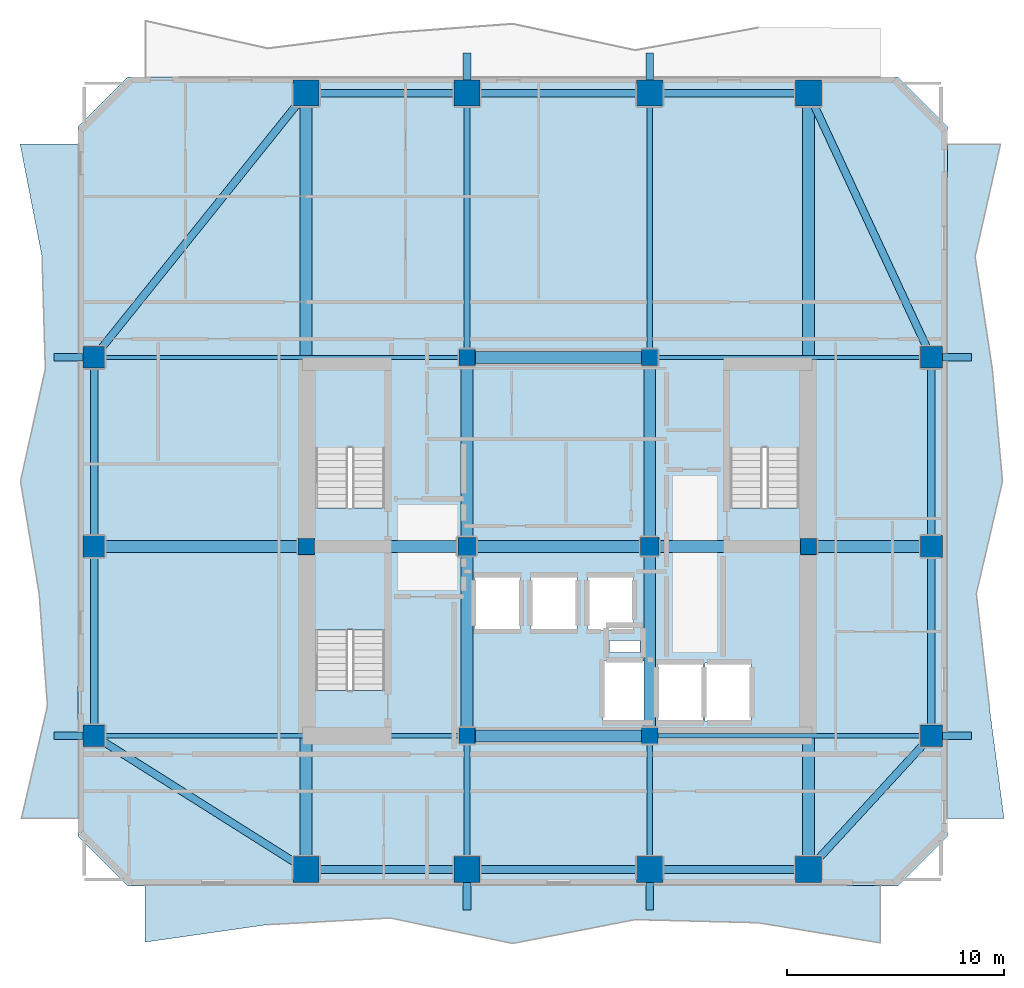
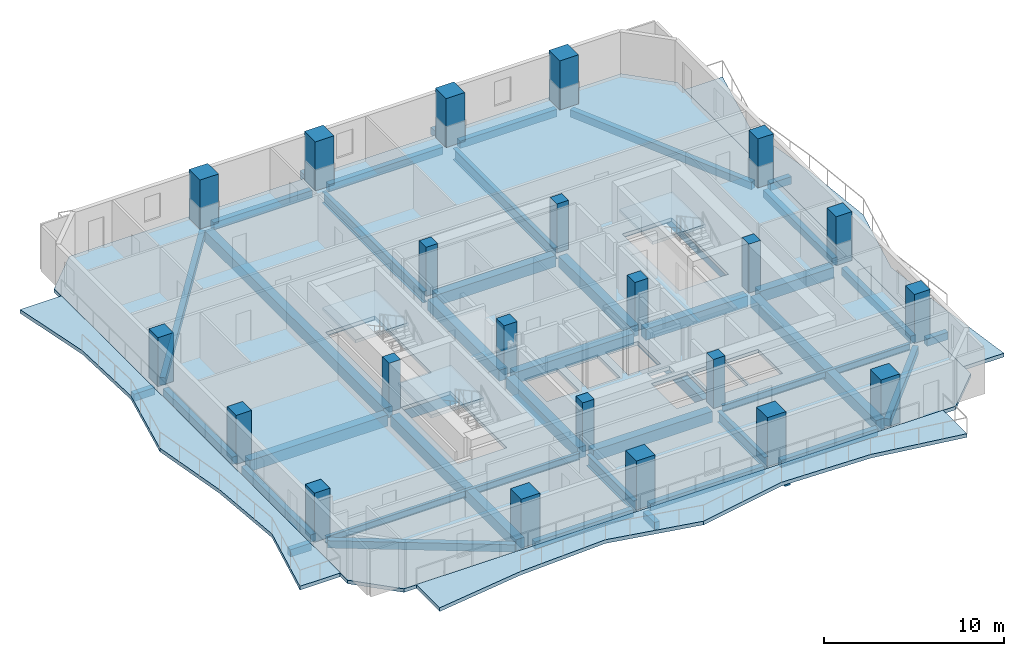
# One storey, part 1 of 10: 45 beams, 22 columns, 7 slabs, 3 elements without a shape of their own.
"""IFC4 building model written with IfcOpenShell, lengths in metres."""

from ifc_helpers import new_model, si_unit, direction, frame, origin, origin_2d, place, context, subcontext, project, spatial, polyline, rectangle, i_section, outline, extrude, material, layer, layer_set, material_profile, profile_set, type_object, element, aggregate, save


model = new_model("IFC4")

# Units and contexts
model_context = context("Model", 3, precision=1e-05, world=origin(), true_north=direction((0.0, 1.0)))
body_context = subcontext(model_context, "Body", "Model", "MODEL_VIEW")
ifc_project = project(units=[si_unit("LENGTHUNIT", "METRE"), si_unit("AREAUNIT", "SQUARE_METRE"), si_unit("VOLUMEUNIT", "CUBIC_METRE"), si_unit("PLANEANGLEUNIT", "RADIAN"), si_unit("MASSUNIT", "GRAM", prefix="KILO")], contexts=[model_context])

# Site, building, storey
site_placement = place(None, origin())
site = spatial("IfcSite", under=ifc_project, at=site_placement, CompositionType="ELEMENT")
building_placement = place(site_placement, origin())
building = spatial("IfcBuilding", under=site, at=building_placement, Name="Solanera Arch Residences", CompositionType="ELEMENT")
storey_placement = place(building_placement, frame((0.0, 0.0, 183.52001953125)))
storey = spatial("IfcBuildingStorey", under=building, at=storey_placement, Name="L53", CompositionType="ELEMENT", Elevation=183.52001953125)

# Columns
ifc_material_1 = material(Name="Concrete C55/67 (f'c = 60 MPa)", Category="concrete")
ifc_material_profile_1 = material_profile(ifc_material_1, rectangle(XDim=1.0, YDim=1.0, at=origin_2d()))
ifc_profile_set_1 = profile_set([ifc_material_profile_1], Name="Concrete C55/67 (f'c = 60 MPa)")
column_type_1 = type_object("IfcColumnType", Name="Structural Column RC-COL-1000X1000", PredefinedType="COLUMN", material=ifc_profile_set_1)
for number, where, z_axis, x_axis, name in (
    (1, (3.64990234375, 22.0, 0.0), (0.0, 0.0, 1.0), (1.0, 0.0, 0.0), "COL-L53-TWR-09"),
    (2, (42.14990234375, 22.0, 0.0), (0.0, 0.0, 1.0), (1.0, 0.0, 0.0), "COL-L53-TWR-10"),
    (3, (3.64990234375, 30.699951171875, 0.0), (0.0, 0.0, 1.0), (1.0, 0.0, 0.0), "COL-L53-TWR-11"),
    (4, (42.14990234375, 30.699951171875, 0.0), (0.0, 0.0, 1.0), (1.0, 0.0, 0.0), "COL-L53-TWR-12"),
    (5, (3.64990234375, 39.39990234375, 0.0), (0.0, 0.0, 1.0), (1.0, 0.0, 0.0), "COL-L53-TWR-13"),
    (6, (42.14990234375, 39.39990234375, 0.0), (0.0, 0.0, 1.0), (1.0, 0.0, 0.0), "COL-L53-TWR-14"),
):
    element("IfcColumn", number, at=place(storey_placement, frame(where, z_axis=z_axis, x_axis=x_axis)), inside=storey, type_object=column_type_1, Name=name, PredefinedType="COLUMN", context=body_context, shape_type="SweptSolid", body=[
        extrude(rectangle(XDim=1.0, YDim=1.0, at=origin_2d()), origin(), (0.0, 0.0, 1.0), 3.320068359375),
    ])
ifc_material_2 = material(Name="Concrete C55/67 (f'c = 60 MPa)", Category="concrete")
ifc_material_profile_2 = material_profile(ifc_material_2, rectangle(XDim=1.199951171875, YDim=1.199951171875, at=origin_2d()))
ifc_profile_set_2 = profile_set([ifc_material_profile_2], Name="Concrete C55/67 (f'c = 60 MPa)")
column_type_2 = type_object("IfcColumnType", Name="Structural Column RC-COL-1200X1200", PredefinedType="COLUMN", material=ifc_profile_set_2)
for number, where, z_axis, x_axis, name in (
    (7, (13.39990234375, 15.85009765625, 0.0), (0.0, 0.0, 1.0), (1.0, 0.0, 0.0), "COL-L53-TWR-01"),
    (8, (13.39990234375, 51.550048828125, 0.0), (0.0, 0.0, 1.0), (1.0, 0.0, 0.0), "COL-L53-TWR-02"),
    (9, (20.800048828125, 15.85009765625, 0.0), (0.0, 0.0, 1.0), (1.0, 0.0, 0.0), "COL-L53-TWR-03"),
    (10, (20.800048828125, 51.550048828125, 0.0), (0.0, 0.0, 1.0), (1.0, 0.0, 0.0), "COL-L53-TWR-04"),
    (11, (29.199951171875, 15.85009765625, 0.0), (0.0, 0.0, 1.0), (1.0, 0.0, 0.0), "COL-L53-TWR-05"),
    (12, (29.199951171875, 51.550048828125, 0.0), (0.0, 0.0, 1.0), (1.0, 0.0, 0.0), "COL-L53-TWR-06"),
    (13, (36.5, 15.85009765625, 0.0), (0.0, 0.0, 1.0), (1.0, 0.0, 0.0), "COL-L53-TWR-07"),
    (14, (36.5, 51.550048828125, 0.0), (0.0, 0.0, 1.0), (1.0, 0.0, 0.0), "COL-L53-TWR-08"),
):
    element("IfcColumn", number, at=place(storey_placement, frame(where, z_axis=z_axis, x_axis=x_axis)), inside=storey, type_object=column_type_2, Name=name, PredefinedType="COLUMN", context=body_context, shape_type="SweptSolid", body=[
        extrude(rectangle(XDim=1.199951171875, YDim=1.199951171875, at=origin_2d()), origin(), (0.0, 0.0, 1.0), 3.320068359375),
    ])
ifc_material_3 = material(Name="Concrete C40/50 (f'c = 45 MPa)", Category="concrete")
ifc_material_profile_3 = material_profile(ifc_material_3, rectangle(XDim=0.75, YDim=0.75, at=origin_2d()))
ifc_profile_set_3 = profile_set([ifc_material_profile_3], Name="Concrete C40/50 (f'c = 45 MPa)")
column_type_3 = type_object("IfcColumnType", Name="Structural Column RC-COL-750X750", PredefinedType="COLUMN", material=ifc_profile_set_3)
for number, where, z_axis, x_axis, name in (
    (15, (20.800048828125, 22.0, 0.0), (0.0, 0.0, 1.0), (1.0, 0.0, 0.0), "COL-L53-CB-SW"),
    (16, (29.199951171875, 22.0, 0.0), (0.0, 0.0, 1.0), (1.0, 0.0, 0.0), "COL-L53-CB-SE"),
    (17, (20.800048828125, 39.39990234375, 0.0), (0.0, 0.0, 1.0), (1.0, 0.0, 0.0), "COL-L53-CB-NW"),
    (18, (29.199951171875, 39.39990234375, 0.0), (0.0, 0.0, 1.0), (1.0, 0.0, 0.0), "COL-L53-CB-NE"),
    (19, (13.39990234375, 30.699951171875, 0.0), (0.0, 0.0, 1.0), (1.0, 0.0, 0.0), "COL-L53-CB-WW"),
    (20, (36.5, 30.699951171875, 0.0), (0.0, 0.0, 1.0), (1.0, 0.0, 0.0), "COL-L53-CB-EE"),
):
    element("IfcColumn", number, at=place(storey_placement, frame(where, z_axis=z_axis, x_axis=x_axis)), inside=storey, type_object=column_type_3, Name=name, PredefinedType="COLUMN", context=body_context, shape_type="SweptSolid", body=[
        extrude(rectangle(XDim=0.75, YDim=0.75, at=origin_2d()), origin(), (0.0, 0.0, 1.0), 3.320068359375),
    ])
ifc_material_4 = material(Name="Concrete C40/50 (f'c = 45 MPa)", Category="concrete")
ifc_material_profile_4 = material_profile(ifc_material_4, rectangle(XDim=0.85009765625, YDim=0.85009765625, at=origin_2d()))
ifc_profile_set_4 = profile_set([ifc_material_profile_4], Name="Concrete C40/50 (f'c = 45 MPa)")
column_type_4 = type_object("IfcColumnType", Name="Structural Column RC-COL-850X850", PredefinedType="COLUMN", material=ifc_profile_set_4)
for number, where, z_axis, x_axis, name in (
    (21, (20.800048828125, 30.699951171875, 0.0), (0.0, 0.0, 1.0), (1.0, 0.0, 0.0), "COL-L53-CORE-W"),
    (22, (29.199951171875, 30.699951171875, 0.0), (0.0, 0.0, 1.0), (1.0, 0.0, 0.0), "COL-L53-CORE-E"),
):
    element("IfcColumn", number, at=place(storey_placement, frame(where, z_axis=z_axis, x_axis=x_axis)), inside=storey, type_object=column_type_4, Name=name, PredefinedType="COLUMN", context=body_context, shape_type="SweptSolid", body=[
        extrude(rectangle(XDim=0.85009765625, YDim=0.85009765625, at=origin_2d()), origin(), (0.0, 0.0, 1.0), 3.320068359375),
    ])

# Beams
ifc_material_5 = material(Name="Concrete C40/50 (f'c = 45 MPa)", Category="concrete")
ifc_material_profile_5 = material_profile(ifc_material_5, rectangle(XDim=0.35009765625, YDim=0.5, at=origin_2d()))
ifc_profile_set_5 = profile_set([ifc_material_profile_5], Name="Concrete C40/50 (f'c = 45 MPa)")
beam_type_1 = type_object("IfcBeamType", Name="BM-BALC-RIB", PredefinedType="BEAM", material=ifc_profile_set_5)
for number, where, z_axis, x_axis, name in (
    (23, (20.800048828125, 14.0, -0.5), (0.0, 1.0, 0.0), (-1.0, 0.0, 0.0), "BM-L53-BRIB-S1"),
    (24, (29.199951171875, 14.0, -0.5), (0.0, 1.0, 0.0), (-1.0, 0.0, 0.0), "BM-L53-BRIB-S2"),
    (25, (20.800048828125, 52.14990234375, -0.5), (0.0, 1.0, 0.0), (-1.0, 0.0, 0.0), "BM-L53-BRIB-N1"),
    (26, (29.199951171875, 52.14990234375, -0.5), (0.0, 1.0, 0.0), (-1.0, 0.0, 0.0), "BM-L53-BRIB-N2"),
):
    element("IfcBeam", number, at=place(storey_placement, frame(where, z_axis=z_axis, x_axis=x_axis)), inside=storey, type_object=beam_type_1, Name=name, PredefinedType="BEAM", context=body_context, shape_type="SweptSolid", body=[
        extrude(rectangle(XDim=0.35009765625, YDim=0.5, at=origin_2d()), origin(), (0.0, 0.0, 1.0), 1.25),
    ])
for number, where, z_axis, x_axis, name in (
    (27, (42.64990234375, 22.0, -0.5), (1.0, 0.0, 0.0), (0.0, 1.0, 0.0), "BM-L53-BRIB-E1"),
    (28, (42.64990234375, 39.39990234375, -0.5), (1.0, 0.0, 0.0), (0.0, 1.0, 0.0), "BM-L53-BRIB-E2"),
):
    element("IfcBeam", number, at=place(storey_placement, frame(where, z_axis=z_axis, x_axis=x_axis)), inside=storey, type_object=beam_type_1, Name=name, PredefinedType="BEAM", context=body_context, shape_type="SweptSolid", body=[
        extrude(rectangle(XDim=0.35009765625, YDim=0.5, at=origin_2d()), origin(), (0.0, 0.0, 1.0), 1.35009765625),
    ])
for number, where, z_axis, x_axis, name in (
    (29, (1.800048828125, 22.0, -0.5), (1.0, 0.0, 0.0), (0.0, 1.0, 0.0), "BM-L53-BRIB-W1"),
    (30, (1.800048828125, 39.39990234375, -0.5), (1.0, 0.0, 0.0), (0.0, 1.0, 0.0), "BM-L53-BRIB-W2"),
):
    element("IfcBeam", number, at=place(storey_placement, frame(where, z_axis=z_axis, x_axis=x_axis)), inside=storey, type_object=beam_type_1, Name=name, PredefinedType="BEAM", context=body_context, shape_type="SweptSolid", body=[
        extrude(rectangle(XDim=0.35009765625, YDim=0.5, at=origin_2d()), origin(), (0.0, 0.0, 1.0), 1.349853515625),
    ])
ifc_material_6 = material(Name="Concrete C40/50 (f'c = 45 MPa)", Category="concrete")
ifc_material_profile_6 = material_profile(ifc_material_6, rectangle(XDim=0.550048828125, YDim=0.75, at=origin_2d()))
ifc_profile_set_6 = profile_set([ifc_material_profile_6], Name="Concrete C40/50 (f'c = 45 MPa)")
beam_type_2 = type_object("IfcBeamType", Name="Primary Beam RC-BM-550X750", PredefinedType="BEAM", material=ifc_profile_set_6)
beam_1_placement = place(storey_placement, frame((20.800048828125, 22.37890625, -0.614990234375), z_axis=(0.0, 1.0, 0.0), x_axis=(-1.0, 0.0, 0.0)))
element("IfcBeam", 31, at=beam_1_placement, inside=storey, type_object=beam_type_2, Name="BM-L53-CC-S-208", PredefinedType="BEAM", context=body_context, shape_type="SweptSolid", body=[
    extrude(rectangle(XDim=0.550048828125, YDim=0.75, at=origin_2d()), origin(), (0.0, 0.0, 1.0), 7.942138671875),
])
beam_2_placement = place(storey_placement, frame((20.800048828125, 31.0791015625, -0.614990234375), z_axis=(0.0, 1.0, 0.0), x_axis=(-1.0, 0.0, 0.0)))
element("IfcBeam", 32, at=beam_2_placement, inside=storey, type_object=beam_type_2, Name="BM-L53-CC-N-208", PredefinedType="BEAM", context=body_context, shape_type="SweptSolid", body=[
    extrude(rectangle(XDim=0.550048828125, YDim=0.75, at=origin_2d()), origin(), (0.0, 0.0, 1.0), 7.94189453125),
])
beam_3_placement = place(storey_placement, frame((29.199951171875, 22.37890625, -0.614990234375), z_axis=(0.0, 1.0, 0.0), x_axis=(-1.0, 0.0, 0.0)))
element("IfcBeam", 33, at=beam_3_placement, inside=storey, type_object=beam_type_2, Name="BM-L53-CC-S-292", PredefinedType="BEAM", context=body_context, shape_type="SweptSolid", body=[
    extrude(rectangle(XDim=0.550048828125, YDim=0.75, at=origin_2d()), origin(), (0.0, 0.0, 1.0), 7.942138671875),
])
beam_4_placement = place(storey_placement, frame((29.199951171875, 31.0791015625, -0.614990234375), z_axis=(0.0, 1.0, 0.0), x_axis=(-1.0, 0.0, 0.0)))
element("IfcBeam", 34, at=beam_4_placement, inside=storey, type_object=beam_type_2, Name="BM-L53-CC-N-292", PredefinedType="BEAM", context=body_context, shape_type="SweptSolid", body=[
    extrude(rectangle(XDim=0.550048828125, YDim=0.75, at=origin_2d()), origin(), (0.0, 0.0, 1.0), 7.94189453125),
])
for number, where, z_axis, x_axis, name in (
    (35, (21.178955078125, 22.0, -0.614990234375), (1.0, 0.0, 0.0), (0.0, 1.0, 0.0), "BM-L53-CC-M-220"),
    (36, (21.178955078125, 30.699951171875, -0.614990234375), (1.0, 0.0, 0.0), (0.0, 1.0, 0.0), "BM-L53-CC-M-307"),
    (37, (21.178955078125, 39.39990234375, -0.614990234375), (1.0, 0.0, 0.0), (0.0, 1.0, 0.0), "BM-L53-CC-M-394"),
):
    element("IfcBeam", number, at=place(storey_placement, frame(where, z_axis=z_axis, x_axis=x_axis)), inside=storey, type_object=beam_type_2, Name=name, PredefinedType="BEAM", context=body_context, shape_type="SweptSolid", body=[
        extrude(rectangle(XDim=0.550048828125, YDim=0.75, at=origin_2d()), origin(), (0.0, 0.0, 1.0), 7.64208984375),
    ])
beam_5_placement = place(storey_placement, frame((13.779052734375, 30.699951171875, -0.614990234375), z_axis=(1.0, 0.0, 0.0), x_axis=(0.0, 1.0, 0.0)))
element("IfcBeam", 38, at=beam_5_placement, inside=storey, type_object=beam_type_2, Name="BM-L53-CC-W", PredefinedType="BEAM", context=body_context, shape_type="SweptSolid", body=[
    extrude(rectangle(XDim=0.550048828125, YDim=0.75, at=origin_2d()), origin(), (0.0, 0.0, 1.0), 6.641845703125),
])
beam_6_placement = place(storey_placement, frame((29.5791015625, 30.699951171875, -0.614990234375), z_axis=(1.0, 0.0, 0.0), x_axis=(0.0, 1.0, 0.0)))
element("IfcBeam", 39, at=beam_6_placement, inside=storey, type_object=beam_type_2, Name="BM-L53-CC-E", PredefinedType="BEAM", context=body_context, shape_type="SweptSolid", body=[
    extrude(rectangle(XDim=0.550048828125, YDim=0.75, at=origin_2d()), origin(), (0.0, 0.0, 1.0), 6.5419921875),
])
beam_7_placement = place(storey_placement, frame((13.39990234375, 16.389892578125, -0.614990234375), z_axis=(0.0, 1.0, 0.0), x_axis=(-1.0, 0.0, 0.0)))
element("IfcBeam", 40, at=beam_7_placement, inside=storey, type_object=beam_type_2, Name="BM-L53-RAD-OS-134", PredefinedType="BEAM", context=body_context, shape_type="SweptSolid", body=[
    extrude(rectangle(XDim=0.550048828125, YDim=0.75, at=origin_2d()), origin(), (0.0, 0.0, 1.0), 13.93115234375),
])
beam_8_placement = place(storey_placement, frame((13.39990234375, 31.0791015625, -0.614990234375), z_axis=(0.0, 1.0, 0.0), x_axis=(-1.0, 0.0, 0.0)))
element("IfcBeam", 41, at=beam_8_placement, inside=storey, type_object=beam_type_2, Name="BM-L53-RAD-ON-134", PredefinedType="BEAM", context=body_context, shape_type="SweptSolid", body=[
    extrude(rectangle(XDim=0.550048828125, YDim=0.75, at=origin_2d()), origin(), (0.0, 0.0, 1.0), 19.930908203125),
])
beam_9_placement = place(storey_placement, frame((36.5, 16.389892578125, -0.614990234375), z_axis=(0.0, 1.0, 0.0), x_axis=(-1.0, 0.0, 0.0)))
element("IfcBeam", 42, at=beam_9_placement, inside=storey, type_object=beam_type_2, Name="BM-L53-RAD-OS-365", PredefinedType="BEAM", context=body_context, shape_type="SweptSolid", body=[
    extrude(rectangle(XDim=0.550048828125, YDim=0.75, at=origin_2d()), origin(), (0.0, 0.0, 1.0), 13.93115234375),
])
beam_10_placement = place(storey_placement, frame((36.5, 31.0791015625, -0.614990234375), z_axis=(0.0, 1.0, 0.0), x_axis=(-1.0, 0.0, 0.0)))
element("IfcBeam", 43, at=beam_10_placement, inside=storey, type_object=beam_type_2, Name="BM-L53-RAD-ON-365", PredefinedType="BEAM", context=body_context, shape_type="SweptSolid", body=[
    extrude(rectangle(XDim=0.550048828125, YDim=0.75, at=origin_2d()), origin(), (0.0, 0.0, 1.0), 19.930908203125),
])
beam_11_placement = place(storey_placement, frame((4.154052734375, 30.699951171875, -0.614990234375), z_axis=(1.0, 0.0, 0.0), x_axis=(0.0, 1.0, 0.0)))
element("IfcBeam", 44, at=beam_11_placement, inside=storey, type_object=beam_type_2, Name="BM-L53-RAD-MW", PredefinedType="BEAM", context=body_context, shape_type="SweptSolid", body=[
    extrude(rectangle(XDim=0.550048828125, YDim=0.75, at=origin_2d()), origin(), (0.0, 0.0, 1.0), 8.866943359375),
])
beam_12_placement = place(storey_placement, frame((36.87890625, 30.699951171875, -0.614990234375), z_axis=(1.0, 0.0, 0.0), x_axis=(0.0, 1.0, 0.0)))
element("IfcBeam", 45, at=beam_12_placement, inside=storey, type_object=beam_type_2, Name="BM-L53-RAD-ME", PredefinedType="BEAM", context=body_context, shape_type="SweptSolid", body=[
    extrude(rectangle(XDim=0.550048828125, YDim=0.75, at=origin_2d()), origin(), (0.0, 0.0, 1.0), 4.76708984375),
])
ifc_material_7 = material(Name="Steel S355 (ASTM A992 / A572 Grade 50)", Category="steel")
ifc_material_profile_7 = material_profile(ifc_material_7, i_section(OverallWidth=0.26806640625, OverallDepth=0.77001953125, WebThickness=0.015625, FlangeThickness=0.025390625, at=origin_2d()))
ifc_profile_set_7 = profile_set([ifc_material_profile_7], Name="Steel S355 (ASTM A992 / A572 Grade 50)")
beam_type_3 = type_object("IfcBeamType", Name="Primary Beam W760X196", PredefinedType="BEAM", material=ifc_profile_set_7)
beam_13_placement = place(storey_placement, frame((20.800048828125, 16.389892578125, -0.625), z_axis=(0.0, 1.0, 0.0), x_axis=(-1.0, 0.0, 0.0)))
element("IfcBeam", 46, at=beam_13_placement, inside=storey, type_object=beam_type_3, Name="BM-L53-RAD-S-208", PredefinedType="BEAM", context=body_context, shape_type="SweptSolid", body=[
    extrude(i_section(OverallWidth=0.26806640625, OverallDepth=0.77001953125, WebThickness=0.015625, FlangeThickness=0.025390625, at=origin_2d()), origin(), (0.0, 0.0, 1.0), 5.231201171875),
])
beam_14_placement = place(storey_placement, frame((20.800048828125, 39.779052734375, -0.625), z_axis=(0.0, 1.0, 0.0), x_axis=(-1.0, 0.0, 0.0)))
element("IfcBeam", 47, at=beam_14_placement, inside=storey, type_object=beam_type_3, Name="BM-L53-RAD-N-208", PredefinedType="BEAM", context=body_context, shape_type="SweptSolid", body=[
    extrude(i_section(OverallWidth=0.26806640625, OverallDepth=0.77001953125, WebThickness=0.015625, FlangeThickness=0.025390625, at=origin_2d()), origin(), (0.0, 0.0, 1.0), 11.23095703125),
])
beam_15_placement = place(storey_placement, frame((29.199951171875, 16.389892578125, -0.625), z_axis=(0.0, 1.0, 0.0), x_axis=(-1.0, 0.0, 0.0)))
element("IfcBeam", 48, at=beam_15_placement, inside=storey, type_object=beam_type_3, Name="BM-L53-RAD-S-292", PredefinedType="BEAM", context=body_context, shape_type="SweptSolid", body=[
    extrude(i_section(OverallWidth=0.26806640625, OverallDepth=0.77001953125, WebThickness=0.015625, FlangeThickness=0.025390625, at=origin_2d()), origin(), (0.0, 0.0, 1.0), 5.231201171875),
])
beam_16_placement = place(storey_placement, frame((29.199951171875, 39.779052734375, -0.625), z_axis=(0.0, 1.0, 0.0), x_axis=(-1.0, 0.0, 0.0)))
element("IfcBeam", 49, at=beam_16_placement, inside=storey, type_object=beam_type_3, Name="BM-L53-RAD-N-292", PredefinedType="BEAM", context=body_context, shape_type="SweptSolid", body=[
    extrude(i_section(OverallWidth=0.26806640625, OverallDepth=0.77001953125, WebThickness=0.015625, FlangeThickness=0.025390625, at=origin_2d()), origin(), (0.0, 0.0, 1.0), 11.23095703125),
])
ifc_material_8 = material(Name="Steel S355 (ASTM A992 / A572 Grade 50)", Category="steel")
ifc_material_profile_8 = material_profile(ifc_material_8, i_section(OverallWidth=0.19091796875, OverallDepth=0.4599609375, WebThickness=0.010009765625, FlangeThickness=0.01611328125, at=origin_2d()))
ifc_profile_set_8 = profile_set([ifc_material_profile_8], Name="Steel S355 (ASTM A992 / A572 Grade 50)")
beam_type_4 = type_object("IfcBeamType", Name="Secondary Joist W460X82", PredefinedType="JOIST", material=ifc_profile_set_8)
beam_17_placement = place(storey_placement, frame((4.154052734375, 22.0, -0.469970703125), z_axis=(1.0, 0.0, 0.0), x_axis=(0.0, 1.0, 0.0)))
element("IfcBeam", 50, at=beam_17_placement, inside=storey, type_object=beam_type_4, Name="BM-L53-RAD-W-220", PredefinedType="JOIST", context=body_context, shape_type="SweptSolid", body=[
    extrude(i_section(OverallWidth=0.19091796875, OverallDepth=0.4599609375, WebThickness=0.010009765625, FlangeThickness=0.01611328125, at=origin_2d()), origin(), (0.0, 0.0, 1.0), 16.266845703125),
])
beam_18_placement = place(storey_placement, frame((29.5791015625, 22.0, -0.469970703125), z_axis=(1.0, 0.0, 0.0), x_axis=(0.0, 1.0, 0.0)))
element("IfcBeam", 51, at=beam_18_placement, inside=storey, type_object=beam_type_4, Name="BM-L53-RAD-E-220", PredefinedType="JOIST", context=body_context, shape_type="SweptSolid", body=[
    extrude(i_section(OverallWidth=0.19091796875, OverallDepth=0.4599609375, WebThickness=0.010009765625, FlangeThickness=0.01611328125, at=origin_2d()), origin(), (0.0, 0.0, 1.0), 12.06689453125),
])
beam_19_placement = place(storey_placement, frame((4.154052734375, 39.39990234375, -0.469970703125), z_axis=(1.0, 0.0, 0.0), x_axis=(0.0, 1.0, 0.0)))
element("IfcBeam", 52, at=beam_19_placement, inside=storey, type_object=beam_type_4, Name="BM-L53-RAD-W-394", PredefinedType="JOIST", context=body_context, shape_type="SweptSolid", body=[
    extrude(i_section(OverallWidth=0.19091796875, OverallDepth=0.4599609375, WebThickness=0.010009765625, FlangeThickness=0.01611328125, at=origin_2d()), origin(), (0.0, 0.0, 1.0), 16.266845703125),
])
beam_20_placement = place(storey_placement, frame((29.5791015625, 39.39990234375, -0.469970703125), z_axis=(1.0, 0.0, 0.0), x_axis=(0.0, 1.0, 0.0)))
element("IfcBeam", 53, at=beam_20_placement, inside=storey, type_object=beam_type_4, Name="BM-L53-RAD-E-394", PredefinedType="JOIST", context=body_context, shape_type="SweptSolid", body=[
    extrude(i_section(OverallWidth=0.19091796875, OverallDepth=0.4599609375, WebThickness=0.010009765625, FlangeThickness=0.01611328125, at=origin_2d()), origin(), (0.0, 0.0, 1.0), 12.06689453125),
])
ifc_material_9 = material(Name="Concrete C40/50 (f'c = 45 MPa)", Category="concrete")
ifc_material_profile_9 = material_profile(ifc_material_9, rectangle(XDim=0.35009765625, YDim=0.5, at=origin_2d()))
ifc_profile_set_9 = profile_set([ifc_material_profile_9], Name="Concrete C40/50 (f'c = 45 MPa)")
beam_type_5 = type_object("IfcBeamType", Name="Spandrel Beam RC-BM-350X500", PredefinedType="SPANDREL", material=ifc_profile_set_9)
for number, where, z_axis, x_axis, name in (
    (54, (13.93994140625, 15.85009765625, -0.489990234375), (1.0, 0.0, 0.0), (0.0, 1.0, 0.0), "BM-L53-SPN-S-1"),
    (55, (13.93994140625, 51.550048828125, -0.489990234375), (1.0, 0.0, 0.0), (0.0, 1.0, 0.0), "BM-L53-SPN-N-1"),
):
    element("IfcBeam", number, at=place(storey_placement, frame(where, z_axis=z_axis, x_axis=x_axis)), inside=storey, type_object=beam_type_5, Name=name, PredefinedType="SPANDREL", context=body_context, shape_type="SweptSolid", body=[
        extrude(rectangle(XDim=0.35009765625, YDim=0.5, at=origin_2d()), origin(), (0.0, 0.0, 1.0), 6.320068359375),
    ])
for number, where, z_axis, x_axis, name in (
    (56, (21.340087890625, 15.85009765625, -0.489990234375), (1.0, 0.0, 0.0), (0.0, 1.0, 0.0), "BM-L53-SPN-S-2"),
    (57, (21.340087890625, 51.550048828125, -0.489990234375), (1.0, 0.0, 0.0), (0.0, 1.0, 0.0), "BM-L53-SPN-N-2"),
):
    element("IfcBeam", number, at=place(storey_placement, frame(where, z_axis=z_axis, x_axis=x_axis)), inside=storey, type_object=beam_type_5, Name=name, PredefinedType="SPANDREL", context=body_context, shape_type="SweptSolid", body=[
        extrude(rectangle(XDim=0.35009765625, YDim=0.5, at=origin_2d()), origin(), (0.0, 0.0, 1.0), 7.31982421875),
    ])
for number, where, z_axis, x_axis, name in (
    (58, (29.739990234375, 15.85009765625, -0.489990234375), (1.0, 0.0, 0.0), (0.0, 1.0, 0.0), "BM-L53-SPN-S-3"),
    (59, (29.739990234375, 51.550048828125, -0.489990234375), (1.0, 0.0, 0.0), (0.0, 1.0, 0.0), "BM-L53-SPN-N-3"),
):
    element("IfcBeam", number, at=place(storey_placement, frame(where, z_axis=z_axis, x_axis=x_axis)), inside=storey, type_object=beam_type_5, Name=name, PredefinedType="SPANDREL", context=body_context, shape_type="SweptSolid", body=[
        extrude(rectangle(XDim=0.35009765625, YDim=0.5, at=origin_2d()), origin(), (0.0, 0.0, 1.0), 6.219970703125),
    ])
for number, where, z_axis, x_axis, name in (
    (60, (3.64990234375, 22.50390625, -0.489990234375), (0.0, 1.0, 0.0), (-1.0, 0.0, 0.0), "BM-L53-SPN-W-1"),
    (61, (42.14990234375, 22.50390625, -0.489990234375), (0.0, 1.0, 0.0), (-1.0, 0.0, 0.0), "BM-L53-SPN-E-1"),
):
    element("IfcBeam", number, at=place(storey_placement, frame(where, z_axis=z_axis, x_axis=x_axis)), inside=storey, type_object=beam_type_5, Name=name, PredefinedType="SPANDREL", context=body_context, shape_type="SweptSolid", body=[
        extrude(rectangle(XDim=0.35009765625, YDim=0.5, at=origin_2d()), origin(), (0.0, 0.0, 1.0), 7.692138671875),
    ])
for number, where, z_axis, x_axis, name in (
    (62, (3.64990234375, 31.2041015625, -0.489990234375), (0.0, 1.0, 0.0), (-1.0, 0.0, 0.0), "BM-L53-SPN-W-2"),
    (63, (42.14990234375, 31.2041015625, -0.489990234375), (0.0, 1.0, 0.0), (-1.0, 0.0, 0.0), "BM-L53-SPN-E-2"),
):
    element("IfcBeam", number, at=place(storey_placement, frame(where, z_axis=z_axis, x_axis=x_axis)), inside=storey, type_object=beam_type_5, Name=name, PredefinedType="SPANDREL", context=body_context, shape_type="SweptSolid", body=[
        extrude(rectangle(XDim=0.35009765625, YDim=0.5, at=origin_2d()), origin(), (0.0, 0.0, 1.0), 7.69189453125),
    ])
beam_21_placement = place(storey_placement, frame((12.943115234375, 16.137939453125, -0.489990234375), z_axis=(-0.845781416305, 0.53352956416, 0.0), x_axis=(-0.53352956416, -0.845781416305, 0.0)))
element("IfcBeam", 64, at=beam_21_placement, inside=storey, type_object=beam_type_5, Name="BM-L53-SPN-SW", PredefinedType="SPANDREL", context=body_context, shape_type="SweptSolid", body=[
    extrude(rectangle(XDim=0.35009765625, YDim=0.5, at=origin_2d()), origin(), (0.0, 0.0, 1.0), 10.447265625),
])
beam_22_placement = place(storey_placement, frame((13.06201171875, 51.12890625, -0.489990234375), z_axis=(-0.625858715022, -0.77993645179, 0.0), x_axis=(0.77993645179, -0.625858715022, 0.0)))
element("IfcBeam", 65, at=beam_22_placement, inside=storey, type_object=beam_type_5, Name="BM-L53-SPN-NW", PredefinedType="SPANDREL", context=body_context, shape_type="SweptSolid", body=[
    extrude(rectangle(XDim=0.35009765625, YDim=0.5, at=origin_2d()), origin(), (0.0, 0.0, 1.0), 14.49853515625),
])
beam_23_placement = place(storey_placement, frame((36.864990234375, 16.248046875, -0.489990234375), z_axis=(0.67662725737, 0.736325712293, 0.0), x_axis=(-0.736325712293, 0.67662725737, 0.0)))
element("IfcBeam", 66, at=beam_23_placement, inside=storey, type_object=beam_type_5, Name="BM-L53-SPN-SE", PredefinedType="SPANDREL", context=body_context, shape_type="SweptSolid", body=[
    extrude(rectangle(XDim=0.35009765625, YDim=0.5, at=origin_2d()), origin(), (0.0, 0.0, 1.0), 7.271240234375),
])
beam_24_placement = place(storey_placement, frame((36.72802734375, 51.06005859375, -0.489990234375), z_axis=(0.421641700363, -0.906762524874, 0.0), x_axis=(0.906762524874, 0.421641700363, 0.0)))
element("IfcBeam", 67, at=beam_24_placement, inside=storey, type_object=beam_type_5, Name="BM-L53-SPN-NE", PredefinedType="SPANDREL", context=body_context, shape_type="SweptSolid", body=[
    extrude(rectangle(XDim=0.35009765625, YDim=0.5, at=origin_2d()), origin(), (0.0, 0.0, 1.0), 12.31884765625),
])

# Slabs
ifc_material_10 = material(Name="Concrete C40/50 (f'c = 45 MPa)", Category="concrete")
ifc_layer_1 = layer(ifc_material_10, 0.25)
ifc_layer_set_1 = layer_set([ifc_layer_1], Name="Concrete C40/50 (f'c = 45 MPa)")
slab_type_1 = type_object("IfcSlabType", Name="Balcony Slab 250", PredefinedType="FLOOR", material=ifc_layer_set_1)
slab_1_placement = place(storey_placement, frame((0.0, 0.0, -0.25)))
element("IfcSlab", 68, at=slab_1_placement, inside=storey, type_object=slab_type_1, Name="L53 S Rippling Brise-Soleil Balcony Slab", PredefinedType="FLOOR", context=body_context, shape_type="SweptSolid", body=[
    extrude(outline(polyline([(6.0, 12.510986328125), (11.633056640625, 13.31689453125), (17.26708984375, 13.62109375), (22.89990234375, 12.451904296875), (28.532958984375, 13.547119140625), (34.1669921875, 13.406005859375), (39.800048828125, 12.47900390625), (39.800048828125, 15.1201171875), (6.0, 15.1201171875), (6.0, 12.510986328125)])), origin(), (0.0, 0.0, 1.0), 0.25),
])
slab_2_placement = place(storey_placement, frame((0.0, 0.0, -0.25)))
element("IfcSlab", 69, at=slab_2_placement, inside=storey, type_object=slab_type_1, Name="L53 E Rippling Brise-Soleil Balcony Slab", PredefinedType="FLOOR", context=body_context, shape_type="SweptSolid", body=[
    extrude(outline(polyline([(45.489013671875, 18.199951171875), (44.81201171875, 23.366943359375), (44.216064453125, 28.532958984375), (45.419921875, 33.699951171875), (44.950927734375, 38.866943359375), (44.162109375, 44.032958984375), (45.3291015625, 49.199951171875), (42.8798828125, 49.199951171875), (42.8798828125, 18.199951171875), (45.489013671875, 18.199951171875)])), origin(), (0.0, 0.0, 1.0), 0.25),
])
slab_3_placement = place(storey_placement, frame((0.0, 0.0, -0.25)))
element("IfcSlab", 70, at=slab_3_placement, inside=storey, type_object=slab_type_1, Name="L53 W Rippling Brise-Soleil Balcony Slab", PredefinedType="FLOOR", context=body_context, shape_type="SweptSolid", body=[
    extrude(outline(polyline([(0.25, 49.199951171875), (1.257080078125, 44.032958984375), (1.406982421875, 38.866943359375), (0.26806640625, 33.699951171875), (1.1259765625, 28.532958984375), (1.506103515625, 23.366943359375), (0.31103515625, 18.199951171875), (2.919921875, 18.199951171875), (2.919921875, 49.199951171875), (0.25, 49.199951171875)])), origin(), (0.0, 0.0, 1.0), 0.25),
])

# Stair, slab
ifc_material_11 = material(Name="Concrete C40/50 (f'c = 45 MPa)", Category="concrete")
stair_type = type_object("IfcStairType", Name="Tower Dogleg Exit Stair 1480", PredefinedType="HALF_TURN_STAIR", material=ifc_material_11)
stair_1_placement = place(storey_placement, origin())
stair_1 = element("IfcStair", 71, at=stair_1_placement, inside=storey, type_object=stair_type, Name="L53 Tower Core Exit Stair 1", PredefinedType="HALF_TURN_STAIR")
ifc_material_12 = material(Name="Concrete C40/50 (f'c = 45 MPa)", Category="concrete")
ifc_layer_2 = layer(ifc_material_12, 0.199951171875)
ifc_layer_set_2 = layer_set([ifc_layer_2], Name="Concrete C40/50 (f'c = 45 MPa)")
slab_type_2 = type_object("IfcSlabType", Name="Stair Half-Landing Slab 200", PredefinedType="LANDING", material=ifc_layer_set_2)
slab_4_placement = place(storey_placement, frame((0.0, 0.0, 1.4599609375)))
slab_4 = element("IfcSlab", 72, at=slab_4_placement, type_object=slab_type_2, Name="ST-T1 landing 1", PredefinedType="LANDING", context=body_context, shape_type="SweptSolid", body=[
    extrude(outline(polyline([(17.1201171875, 35.260009765625), (17.1201171875, 38.919921875), (13.719970703125, 38.919921875), (13.719970703125, 35.260009765625), (17.1201171875, 35.260009765625)])), origin(), (0.0, 0.0, 1.0), 0.199951171875),
])
aggregate(stair_1, [slab_4])

stair_2_placement = place(storey_placement, origin())
stair_2 = element("IfcStair", 73, at=stair_2_placement, inside=storey, type_object=stair_type, Name="L53 Tower Core Exit Stair 2", PredefinedType="HALF_TURN_STAIR")
slab_5_placement = place(storey_placement, frame((0.0, 0.0, 1.4599609375)))
slab_5 = element("IfcSlab", 74, at=slab_5_placement, type_object=slab_type_2, Name="ST-T2 landing 1", PredefinedType="LANDING", context=body_context, shape_type="SweptSolid", body=[
    extrude(outline(polyline([(36.179931640625, 35.260009765625), (36.179931640625, 38.919921875), (32.780029296875, 38.919921875), (32.780029296875, 35.260009765625), (36.179931640625, 35.260009765625)])), origin(), (0.0, 0.0, 1.0), 0.199951171875),
])
aggregate(stair_2, [slab_5])

stair_3_placement = place(storey_placement, origin())
stair_3 = element("IfcStair", 75, at=stair_3_placement, inside=storey, type_object=stair_type, Name="L53 Tower Core Exit Stair 3", PredefinedType="HALF_TURN_STAIR")
slab_6_placement = place(storey_placement, frame((0.0, 0.0, 1.4599609375)))
slab_6 = element("IfcSlab", 76, at=slab_6_placement, type_object=slab_type_2, Name="ST-T3 landing 1", PredefinedType="LANDING", context=body_context, shape_type="SweptSolid", body=[
    extrude(outline(polyline([(17.1201171875, 26.860107421875), (17.1201171875, 30.52001953125), (13.719970703125, 30.52001953125), (13.719970703125, 26.860107421875), (17.1201171875, 26.860107421875)])), origin(), (0.0, 0.0, 1.0), 0.199951171875),
])
aggregate(stair_3, [slab_6])

# Slab
ifc_material_13 = material(Name="Concrete C40/50 (f'c = 45 MPa)", Category="concrete")
ifc_layer_3 = layer(ifc_material_13, 0.239990234375)
ifc_layer_set_3 = layer_set([ifc_layer_3], Name="Concrete C40/50 (f'c = 45 MPa)")
slab_type_3 = type_object("IfcSlabType", Name="Suspended Floor Slab Post-Tensioned 240", PredefinedType="FLOOR", material=ifc_layer_set_3)
slab_7_placement = place(storey_placement, frame((0.0, 0.0, -0.239990234375)))
element("IfcSlab", 77, at=slab_7_placement, inside=storey, type_object=slab_type_3, Name="L53 Tower Post-Tensioned Floor Slab", PredefinedType="FLOOR", context=body_context, shape_type="SweptSolid", body=[
    extrude(outline(polyline([(5.199951171875, 15.10009765625), (40.60009765625, 15.10009765625), (42.89990234375, 17.39990234375), (42.89990234375, 50.0), (40.60009765625, 52.300048828125), (5.199951171875, 52.300048828125), (2.89990234375, 50.0), (2.89990234375, 17.39990234375), (5.199951171875, 15.10009765625)]), holes=[polyline([(13.840087890625, 32.48291015625), (13.840087890625, 38.800048828125), (17.0, 38.800048828125), (17.0, 32.48291015625), (13.840087890625, 32.48291015625)]), polyline([(32.89990234375, 32.48291015625), (32.89990234375, 38.800048828125), (36.06005859375, 38.800048828125), (36.06005859375, 32.48291015625), (32.89990234375, 32.48291015625)]), polyline([(13.840087890625, 24.0830078125), (13.840087890625, 30.39990234375), (17.0, 30.39990234375), (17.0, 24.0830078125), (13.840087890625, 24.0830078125)]), polyline([(21.14990234375, 29.35009765625), (23.25, 29.35009765625), (23.25, 26.85009765625), (21.14990234375, 26.85009765625), (21.14990234375, 29.35009765625)]), polyline([(23.75, 29.35009765625), (25.85009765625, 29.35009765625), (25.85009765625, 26.85009765625), (23.75, 26.85009765625), (23.75, 29.35009765625)]), polyline([(26.35009765625, 29.35009765625), (28.449951171875, 29.35009765625), (28.449951171875, 26.85009765625), (26.35009765625, 26.85009765625), (26.35009765625, 29.35009765625)]), polyline([(29.550048828125, 25.35009765625), (31.64990234375, 25.35009765625), (31.64990234375, 22.64990234375), (29.550048828125, 22.64990234375), (29.550048828125, 25.35009765625)]), polyline([(31.75, 25.35009765625), (33.85009765625, 25.35009765625), (33.85009765625, 22.64990234375), (31.75, 22.64990234375), (31.75, 25.35009765625)]), polyline([(27.050048828125, 25.449951171875), (29.35009765625, 25.449951171875), (29.35009765625, 22.64990234375), (27.050048828125, 22.64990234375), (27.050048828125, 25.449951171875)]), polyline([(27.340087890625, 26.3798828125), (28.760009765625, 26.3798828125), (28.760009765625, 25.820068359375), (27.340087890625, 25.820068359375), (27.340087890625, 26.3798828125)])]), origin(), (0.0, 0.0, 1.0), 0.239990234375),
])

save(model, "model.ifc")
